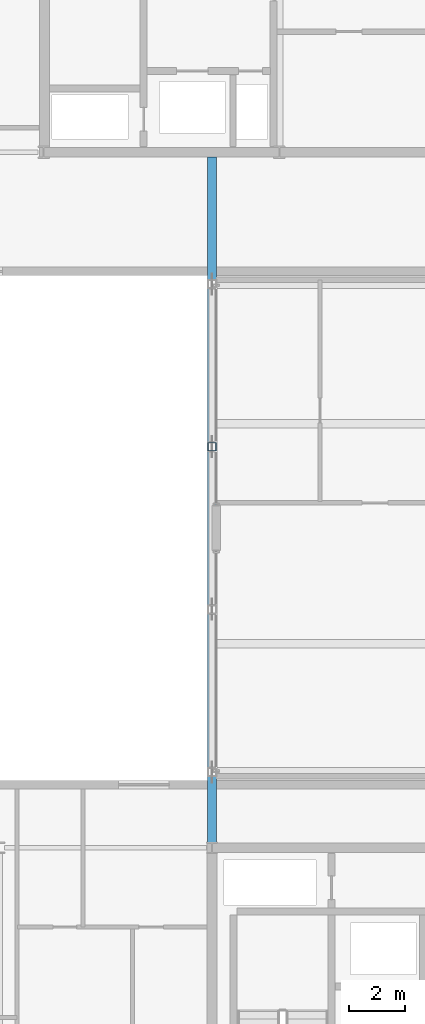
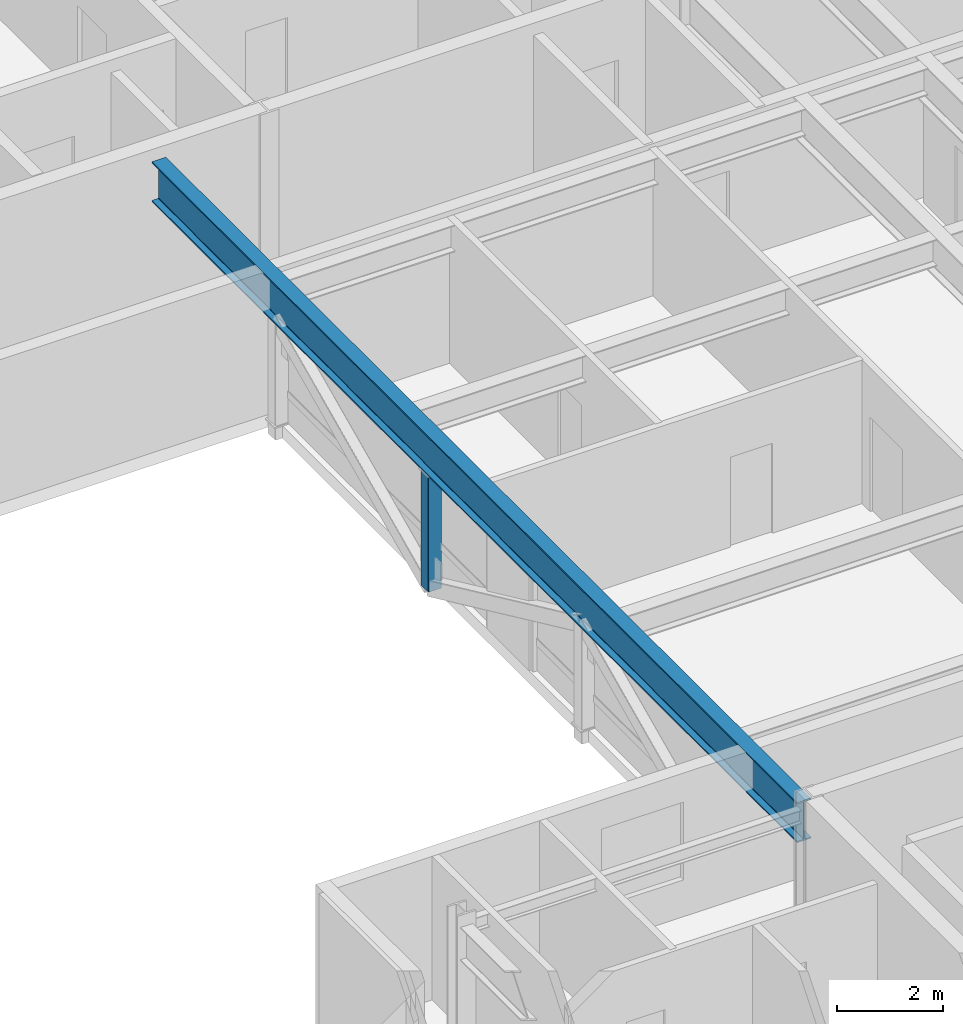
# One storey, part 5 of 28: 1 beam, 1 member.
"""IFC4 building model written with IfcOpenShell, lengths in metres."""

from ifc_helpers import new_model, si_unit, direction, frame, origin, origin_2d, place, context, subcontext, project, spatial, hollow_rectangle, i_section, extrude, material, material_profile, profile_set, type_object, element, save


model = new_model("IFC4")

# Units and contexts
model_context = context("Model", 3, precision=1e-05, world=origin(), true_north=direction((0.0, 1.0)))
body_context = subcontext(model_context, "Body", "Model", "MODEL_VIEW")
ifc_project = project(units=[si_unit("LENGTHUNIT", "METRE"), si_unit("AREAUNIT", "SQUARE_METRE"), si_unit("VOLUMEUNIT", "CUBIC_METRE"), si_unit("PLANEANGLEUNIT", "RADIAN"), si_unit("MASSUNIT", "GRAM", prefix="KILO")], contexts=[model_context])

# Site, building, storey
site_placement = place(None, origin())
site = spatial("IfcSite", under=ifc_project, at=site_placement, CompositionType="ELEMENT")
building_placement = place(site_placement, origin())
building = spatial("IfcBuilding", under=site, at=building_placement, Name="Korimba Cascade Residences", CompositionType="ELEMENT")
storey_placement = place(building_placement, frame((0.0, 0.0, 153.699951171875)))
storey = spatial("IfcBuildingStorey", under=building, at=storey_placement, Name="L44", CompositionType="ELEMENT", Elevation=153.699951171875)

# Beam
ifc_material = material(Name="Steel S460", Category="steel")
ifc_material_profile_1 = material_profile(ifc_material, i_section(OverallWidth=0.3076171875, OverallDepth=0.926513671875, WebThickness=0.01953125, FlangeThickness=0.031982421875, FilletRadius=0.01904296875, at=origin_2d()), Name="Steel S460")
ifc_profile_set_1 = profile_set([ifc_material_profile_1], Name="Steel S460")
beam_type = type_object("IfcBeamType", Name="BM-STL-UB914B", PredefinedType="BEAM", material=ifc_profile_set_1)
beam_placement = place(storey_placement, frame((82.10009765625, 30.574951171875, 2.856689453125), z_axis=(0.0, 1.0, 0.0), x_axis=(-1.0, 0.0, 0.0)))
element("IfcBeam", 1, at=beam_placement, inside=storey, type_object=beam_type, Name="L44 Rigid Mid-Bridge Truss Chord 1", PredefinedType="BEAM", context=body_context, shape_type="SweptSolid", body=[
    extrude(i_section(OverallWidth=0.3076171875, OverallDepth=0.926513671875, WebThickness=0.01953125, FlangeThickness=0.031982421875, FilletRadius=0.01904296875, at=origin_2d()), origin(), (0.0, 0.0, 1.0), 24.449951171875),
])

# Member
ifc_material_profile_2 = material_profile(ifc_material, hollow_rectangle(XDim=0.300048828125, YDim=0.300048828125, WallThickness=0.012451171875, InnerFilletRadius=0.012451171875, OuterFilletRadius=0.02490234375, at=origin_2d()), Name="Steel S460")
ifc_profile_set_2 = profile_set([ifc_material_profile_2], Name="Steel S460")
member_type = type_object("IfcMemberType", Name="MEM-BRG-STR300", PredefinedType="STRUT", material=ifc_profile_set_2)
member_placement = place(storey_placement, frame((82.10009765625, 44.699951171875, -0.2900390625), z_axis=(0.0, 0.0, 1.0), x_axis=(1.0, 0.0, 0.0)))
element("IfcMember", 2, at=member_placement, inside=storey, type_object=member_type, Name="L44 Mid-Bridge Warren Web Post W3", PredefinedType="STRUT", context=body_context, shape_type="SweptSolid", body=[
    extrude(hollow_rectangle(XDim=0.300048828125, YDim=0.300048828125, WallThickness=0.012451171875, InnerFilletRadius=0.012451171875, OuterFilletRadius=0.02490234375, at=origin_2d()), origin(), (0.0, 0.0, 1.0), 2.68359375),
])

save(model, "model.ifc")
